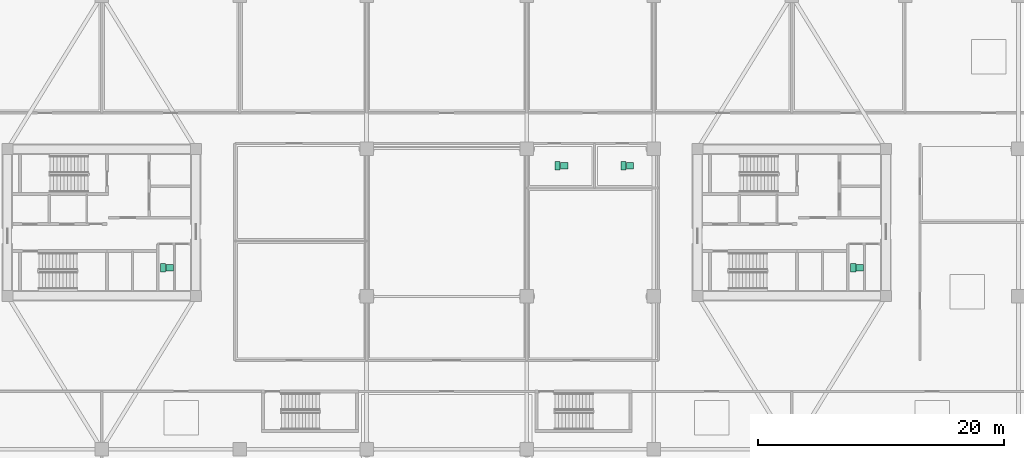
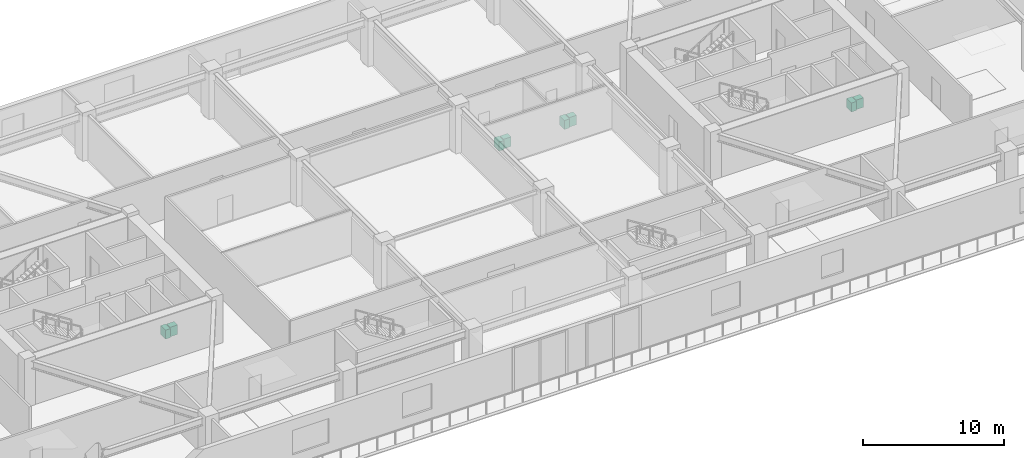
# One storey, part 22 of 23: 8 sanitary terminals.
"""IFC4 building model written with IfcOpenShell, lengths in metres."""

from ifc_helpers import new_model, si_unit, direction, frame, origin, origin_2d, place, context, subcontext, project, spatial, rectangle, extrude, source, transform, mapped, material, type_object, type_shapes, element, save


model = new_model("IFC4")

# Units and contexts
model_context = context("Model", 3, precision=1e-05, world=origin(), true_north=direction((0.0, 1.0)))
body_context = subcontext(model_context, "Body", "Model", "MODEL_VIEW")
ifc_project = project(units=[si_unit("LENGTHUNIT", "METRE"), si_unit("AREAUNIT", "SQUARE_METRE"), si_unit("VOLUMEUNIT", "CUBIC_METRE"), si_unit("PLANEANGLEUNIT", "RADIAN"), si_unit("MASSUNIT", "GRAM", prefix="KILO")], contexts=[model_context])

# Site, building, storey
site_placement = place(None, origin())
site = spatial("IfcSite", under=ifc_project, at=site_placement, CompositionType="ELEMENT")
building_placement = place(site_placement, origin())
building = spatial("IfcBuilding", under=site, at=building_placement, Name="Norrkilde Senior Care Towers", CompositionType="ELEMENT")
storey_placement = place(building_placement, frame((0.0, 0.0, 8.39990234375)))
storey = spatial("IfcBuildingStorey", under=building, at=storey_placement, Name="L02", CompositionType="ELEMENT", Elevation=8.39990234375)

# Sanitary terminals
ifc_material = material(Name="Porcelain Ceramic")
sanitary_terminal_type_1 = type_object("IfcSanitaryTerminalType", Name="Accessible Senior WC Suite", PredefinedType="TOILETPAN", material=ifc_material)
shared_shape_1 = source(origin(), body_context, "Body", "SweptSolid", [
    extrude(rectangle(XDim=0.419921875, YDim=0.679931640625, at=origin_2d()), origin(), (0.0, 0.0, 1.0), 0.780029296875),
])
type_shapes(sanitary_terminal_type_1, [shared_shape_1])
for number, where, z_axis, x_axis, name in (
    (1, (-23.010009765625, -3.675048828125, 0.0), (0.0, 0.0, 1.0), (1.0, 0.0, 0.0), "L02 Accessible WC Pan 0005"),
    (2, (32.989990234375, -3.675048828125, 0.0), (0.0, 0.0, 1.0), (1.0, 0.0, 0.0), "L02 Accessible WC Pan 0006"),
    (3, (9.0, 4.60009765625, 0.0), (0.0, 0.0, 1.0), (1.0, 0.0, 0.0), "L02 Accessible WC Pan 0007"),
    (4, (14.35009765625, 4.60009765625, 0.0), (0.0, 0.0, 1.0), (1.0, 0.0, 0.0), "L02 Accessible WC Pan 0008"),
):
    element("IfcSanitaryTerminal", number, at=place(storey_placement, frame(where, z_axis=z_axis, x_axis=x_axis)), inside=storey, type_object=sanitary_terminal_type_1, Name=name, PredefinedType="TOILETPAN", context=body_context, shape_type="MappedRepresentation", body=[
        mapped(shared_shape_1, transform((0.0, 0.0, 0.0), x_axis=(1.0, 0.0, 0.0), y_axis=(0.0, 1.0, 0.0), z_axis=(0.0, 0.0, 1.0), scale=1.0)),
    ])
sanitary_terminal_type_2 = type_object("IfcSanitaryTerminalType", Name="Thermostatic Care Washbasin", PredefinedType="WASHHANDBASIN", material=ifc_material)
shared_shape_2 = source(origin(), body_context, "Body", "SweptSolid", [
    extrude(rectangle(XDim=0.60009765625, YDim=0.5, at=origin_2d()), origin(), (0.0, 0.0, 1.0), 0.820068359375),
])
type_shapes(sanitary_terminal_type_2, [shared_shape_2])
for number, where, z_axis, x_axis, name in (
    (5, (-22.47998046875, -3.675048828125, 0.0), (0.0, 0.0, 1.0), (1.0, 0.0, 0.0), "L02 Accessible Washbasin 0005"),
    (6, (33.52001953125, -3.675048828125, 0.0), (0.0, 0.0, 1.0), (1.0, 0.0, 0.0), "L02 Accessible Washbasin 0006"),
    (7, (9.530029296875, 4.60009765625, 0.0), (0.0, 0.0, 1.0), (1.0, 0.0, 0.0), "L02 Accessible Washbasin 0007"),
    (8, (14.8798828125, 4.60009765625, 0.0), (0.0, 0.0, 1.0), (1.0, 0.0, 0.0), "L02 Accessible Washbasin 0008"),
):
    element("IfcSanitaryTerminal", number, at=place(storey_placement, frame(where, z_axis=z_axis, x_axis=x_axis)), inside=storey, type_object=sanitary_terminal_type_2, Name=name, PredefinedType="WASHHANDBASIN", context=body_context, shape_type="MappedRepresentation", body=[
        mapped(shared_shape_2, transform((0.0, 0.0, 0.0), x_axis=(1.0, 0.0, 0.0), y_axis=(0.0, 1.0, 0.0), z_axis=(0.0, 0.0, 1.0), scale=1.0)),
    ])

save(model, "model.ifc")
